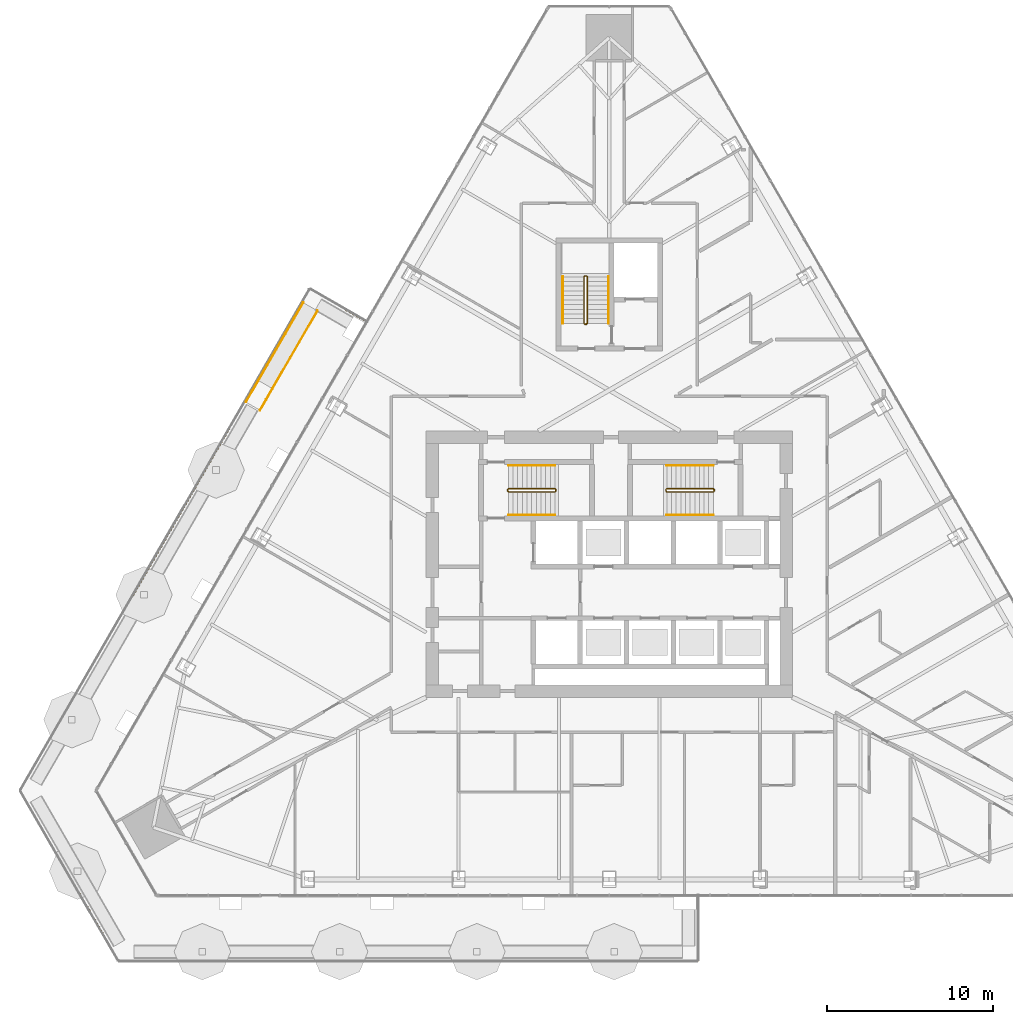
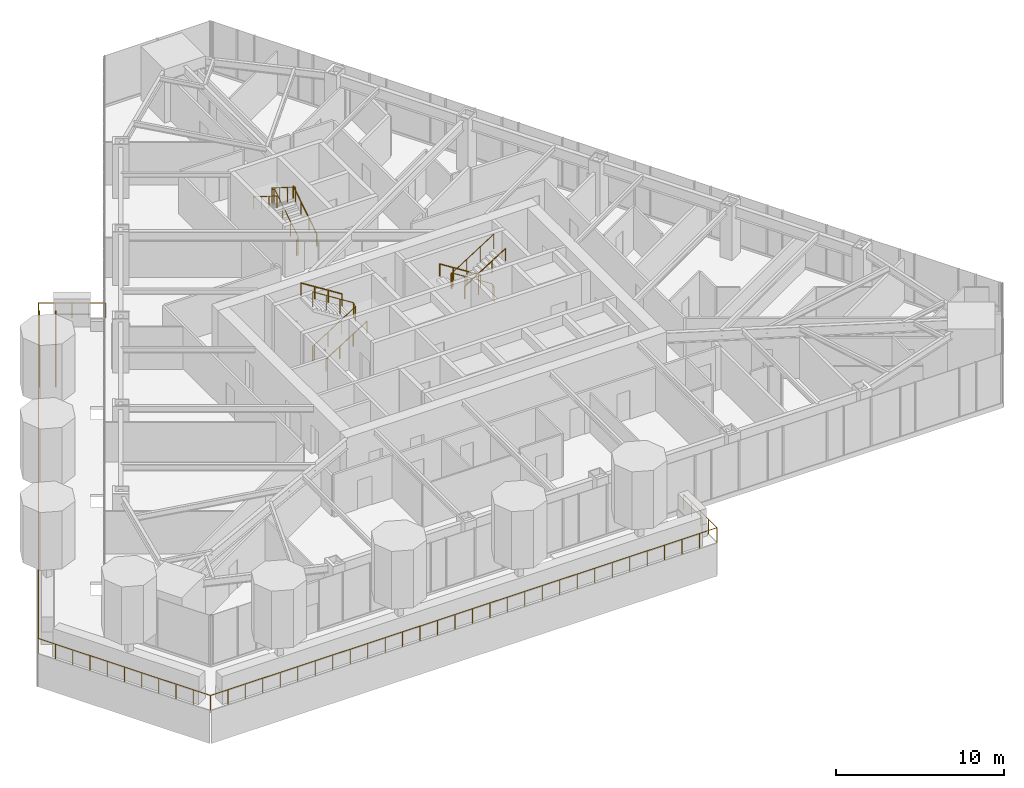
# One storey, part 30 of 32: 12 railings.
"""IFC4 building model written with IfcOpenShell, lengths in metres."""

from ifc_helpers import new_model, si_unit, direction, frame, origin, origin_2d, place, context, subcontext, project, spatial, circle, extrude, material, type_object, element, save


model = new_model("IFC4")

# Units and contexts
model_context = context("Model", 3, precision=1e-05, world=origin(), true_north=direction((0.0, 1.0)))
body_context = subcontext(model_context, "Body", "Model", "MODEL_VIEW")
ifc_project = project(units=[si_unit("LENGTHUNIT", "METRE"), si_unit("AREAUNIT", "SQUARE_METRE"), si_unit("VOLUMEUNIT", "CUBIC_METRE"), si_unit("PLANEANGLEUNIT", "RADIAN"), si_unit("MASSUNIT", "GRAM", prefix="KILO")], contexts=[model_context])

# Site, building, storey
site_placement = place(None, origin())
site = spatial("IfcSite", under=ifc_project, at=site_placement, CompositionType="ELEMENT")
building_placement = place(site_placement, origin())
building = spatial("IfcBuilding", under=site, at=building_placement, Name="Firuza Gate Tower and Library", CompositionType="ELEMENT")
storey_placement = place(building_placement, frame((0.0, 0.0, 163.60009765625)))
storey = spatial("IfcBuildingStorey", under=building, at=storey_placement, Name="L37", CompositionType="ELEMENT", Elevation=163.60009765625)

# Railings
ifc_material_1 = material(Name="Steel S355", Category="steel")
railing_type_1 = type_object("IfcRailingType", Name="Garden ramp guard 1100", PredefinedType="GUARDRAIL", material=ifc_material_1)
railing_1_placement = place(storey_placement, frame((57.463623046875, 90.2236328125, 0.0498046875)))
element("IfcRailing", 1, at=railing_1_placement, inside=storey, type_object=railing_type_1, Name="Ramp guard", PredefinedType="GUARDRAIL", context=body_context, shape_type="SweptSolid", body=[
    extrude(circle(Radius=0.02392578125, at=origin_2d()), frame((0.0, 0.0, 1.076171875), z_axis=(-0.498661851359, -0.863640846545, 0.073897538371), x_axis=(0.866008653551, -0.500029011134, 0.0)), (0.0, 0.0, 1.0), 5.414794921875),
    extrude(circle(Radius=0.02392578125, at=origin_2d()), frame((-2.7001953125, -4.676513671875, 1.47607421875), z_axis=(-0.499990139034, -0.866031096941, 0.0), x_axis=(0.866031096941, -0.499990139034, 0.0)), (0.0, 0.0, 1.0), 1.5),
    extrude(circle(Radius=0.02099609375, at=origin_2d()), origin(), (0.0, 0.0, 1.0), 1.052001953125),
    extrude(circle(Radius=0.02099609375, at=origin_2d()), frame((-0.5400390625, -0.935302734375, 0.080078125)), (0.0, 0.0, 1.0), 1.052001953125),
    extrude(circle(Radius=0.02099609375, at=origin_2d()), frame((-1.080078125, -1.87060546875, 0.16015625)), (0.0, 0.0, 1.0), 1.052001953125),
    extrude(circle(Radius=0.02099609375, at=origin_2d()), frame((-1.6201171875, -2.805908203125, 0.239990234375)), (0.0, 0.0, 1.0), 1.052001953125),
    extrude(circle(Radius=0.02099609375, at=origin_2d()), frame((-2.16015625, -3.7412109375, 0.320068359375)), (0.0, 0.0, 1.0), 1.052001953125),
    extrude(circle(Radius=0.02099609375, at=origin_2d()), frame((-2.7001953125, -4.676513671875, 0.400146484375)), (0.0, 0.0, 1.0), 1.052001953125),
    extrude(circle(Radius=0.02099609375, at=origin_2d()), frame((-3.0751953125, -5.326171875, 0.400146484375)), (0.0, 0.0, 1.0), 1.052001953125),
    extrude(circle(Radius=0.02099609375, at=origin_2d()), frame((-3.4501953125, -5.9755859375, 0.400146484375)), (0.0, 0.0, 1.0), 1.052001953125),
])
railing_2_placement = place(storey_placement, frame((56.61474609375, 90.713623046875, 0.0498046875)))
element("IfcRailing", 2, at=railing_2_placement, inside=storey, type_object=railing_type_1, Name="Ramp guard", PredefinedType="GUARDRAIL", context=body_context, shape_type="SweptSolid", body=[
    extrude(circle(Radius=0.02392578125, at=origin_2d()), frame((0.0, 0.0, 1.076171875), z_axis=(-0.49862797474, -0.863660263689, 0.073899199801), x_axis=(0.866028230842, -0.499995103361, 0.0)), (0.0, 0.0, 1.0), 5.414794921875),
    extrude(circle(Radius=0.02392578125, at=origin_2d()), frame((-2.699951171875, -4.676513671875, 1.47607421875), z_axis=(-0.499990139034, -0.866031096941, 0.0), x_axis=(0.866031096941, -0.499990139034, 0.0)), (0.0, 0.0, 1.0), 1.5),
    extrude(circle(Radius=0.02099609375, at=origin_2d()), origin(), (0.0, 0.0, 1.0), 1.052001953125),
    extrude(circle(Radius=0.02099609375, at=origin_2d()), frame((-0.5400390625, -0.935302734375, 0.080078125)), (0.0, 0.0, 1.0), 1.052001953125),
    extrude(circle(Radius=0.02099609375, at=origin_2d()), frame((-1.080078125, -1.87060546875, 0.16015625)), (0.0, 0.0, 1.0), 1.052001953125),
    extrude(circle(Radius=0.02099609375, at=origin_2d()), frame((-1.619873046875, -2.805908203125, 0.239990234375)), (0.0, 0.0, 1.0), 1.052001953125),
    extrude(circle(Radius=0.02099609375, at=origin_2d()), frame((-2.159912109375, -3.7412109375, 0.320068359375)), (0.0, 0.0, 1.0), 1.052001953125),
    extrude(circle(Radius=0.02099609375, at=origin_2d()), frame((-2.699951171875, -4.676513671875, 0.400146484375)), (0.0, 0.0, 1.0), 1.052001953125),
    extrude(circle(Radius=0.02099609375, at=origin_2d()), frame((-3.074951171875, -5.326171875, 0.400146484375)), (0.0, 0.0, 1.0), 1.052001953125),
    extrude(circle(Radius=0.02099609375, at=origin_2d()), frame((-3.449951171875, -5.9755859375, 0.400146484375)), (0.0, 0.0, 1.0), 1.052001953125),
])
ifc_material_2 = material(Name="Steel S355", Category="steel")
railing_type_2 = type_object("IfcRailingType", Name="Stair guard 1100", PredefinedType="GUARDRAIL", material=ifc_material_2)
railing_3_placement = place(storey_placement, frame((68.889892578125, 79.389892578125, 0.0)))
element("IfcRailing", 3, at=railing_3_placement, inside=storey, type_object=railing_type_2, Name="L37 ST1 stair guard 1", PredefinedType="GUARDRAIL", context=body_context, shape_type="SweptSolid", body=[
    extrude(circle(Radius=0.02392578125, at=origin_2d()), frame((0.0, 0.0, 1.076171875), z_axis=(0.0, 1.0, 0.0), x_axis=(-1.0, 0.0, 0.0)), (0.0, 0.0, 1.0), 0.10009765625),
    extrude(circle(Radius=0.02392578125, at=origin_2d()), frame((0.0, 0.10009765625, 1.076171875), z_axis=(0.210758951027, -0.631248760638, 0.74639511437), x_axis=(0.948528701346, 0.316691178788, 0.0)), (0.0, 0.0, 1.0), 0.237548828125),
    extrude(circle(Radius=0.02392578125, at=origin_2d()), frame((0.050048828125, -0.0498046875, 1.25341796875), z_axis=(0.844908973607, 0.0, 0.534910110503), x_axis=(0.0, 1.0, 0.0)), (0.0, 0.0, 1.0), 3.31396484375),
    extrude(circle(Radius=0.02392578125, at=origin_2d()), frame((2.85009765625, -0.0498046875, 3.02587890625), z_axis=(0.708833529934, 0.705375805398, 0.0), x_axis=(-0.705375805398, 0.708833529934, 0.0)), (0.0, 0.0, 1.0), 0.070556640625),
    extrude(circle(Radius=0.02392578125, at=origin_2d()), frame((2.900146484375, 0.0, 3.02587890625), z_axis=(0.0, 1.0, 0.0), x_axis=(-1.0, 0.0, 0.0)), (0.0, 0.0, 1.0), 0.10009765625),
    extrude(circle(Radius=0.02392578125, at=origin_2d()), frame((2.900146484375, 0.10009765625, 3.02587890625), z_axis=(-0.262233686654, 0.262233686654, 0.928691007369), x_axis=(-0.707106781187, -0.707106781187, 0.0)), (0.0, 0.0, 1.0), 0.19091796875),
    extrude(circle(Radius=0.02392578125, at=origin_2d()), frame((2.85009765625, 0.150146484375, 3.203125), z_axis=(-0.844908973607, 0.0, 0.534910110503), x_axis=(0.0, -1.0, 0.0)), (0.0, 0.0, 1.0), 3.31396484375),
    extrude(circle(Radius=0.02099609375, at=origin_2d()), origin(), (0.0, 0.0, 1.0), 1.052001953125),
    extrude(circle(Radius=0.02099609375, at=origin_2d()), frame((0.0, 0.10009765625, 0.0)), (0.0, 0.0, 1.0), 1.052001953125),
    extrude(circle(Radius=0.02099609375, at=origin_2d()), frame((0.050048828125, -0.0498046875, 0.17724609375)), (0.0, 0.0, 1.0), 1.052001953125),
    extrude(circle(Radius=0.02099609375, at=origin_2d()), frame((0.9833984375, -0.0498046875, 0.76806640625)), (0.0, 0.0, 1.0), 1.052001953125),
    extrude(circle(Radius=0.02099609375, at=origin_2d()), frame((1.916748046875, -0.0498046875, 1.359130859375)), (0.0, 0.0, 1.0), 1.052001953125),
    extrude(circle(Radius=0.02099609375, at=origin_2d()), frame((2.85009765625, -0.0498046875, 1.949951171875)), (0.0, 0.0, 1.0), 1.052001953125),
    extrude(circle(Radius=0.02099609375, at=origin_2d()), frame((2.900146484375, 0.0, 1.949951171875)), (0.0, 0.0, 1.0), 1.052001953125),
    extrude(circle(Radius=0.02099609375, at=origin_2d()), frame((2.900146484375, 0.10009765625, 1.949951171875)), (0.0, 0.0, 1.0), 1.052001953125),
    extrude(circle(Radius=0.02099609375, at=origin_2d()), frame((2.85009765625, 0.150146484375, 2.127197265625)), (0.0, 0.0, 1.0), 1.052001953125),
    extrude(circle(Radius=0.02099609375, at=origin_2d()), frame((1.916748046875, 0.150146484375, 2.718017578125)), (0.0, 0.0, 1.0), 1.052001953125),
    extrude(circle(Radius=0.02099609375, at=origin_2d()), frame((0.9833984375, 0.150146484375, 3.30908203125)), (0.0, 0.0, 1.0), 1.052001953125),
    extrude(circle(Radius=0.02099609375, at=origin_2d()), frame((0.050048828125, 0.150146484375, 3.89990234375)), (0.0, 0.0, 1.0), 1.052001953125),
])
railing_4_placement = place(storey_placement, frame((81.31005859375, 79.489990234375, 0.0)))
element("IfcRailing", 4, at=railing_4_placement, inside=storey, type_object=railing_type_2, Name="L37 ST2 stair guard 1", PredefinedType="GUARDRAIL", context=body_context, shape_type="SweptSolid", body=[
    extrude(circle(Radius=0.02392578125, at=origin_2d()), frame((0.0, 0.0, 1.076171875), z_axis=(0.0, -1.0, 0.0), x_axis=(1.0, 0.0, 0.0)), (0.0, 0.0, 1.0), 0.10009765625),
    extrude(circle(Radius=0.02392578125, at=origin_2d()), frame((0.0, -0.10009765625, 1.076171875), z_axis=(-0.210622194084, 0.631866582253, 0.74591079466), x_axis=(-0.948683298051, -0.316227766017, 0.0)), (0.0, 0.0, 1.0), 0.237548828125),
    extrude(circle(Radius=0.02392578125, at=origin_2d()), frame((-0.050048828125, 0.050048828125, 1.25341796875), z_axis=(-0.844908973607, 0.0, 0.534910110503), x_axis=(0.0, -1.0, 0.0)), (0.0, 0.0, 1.0), 3.31396484375),
    extrude(circle(Radius=0.02392578125, at=origin_2d()), frame((-2.85009765625, 0.050048828125, 3.02587890625), z_axis=(-0.707106781187, -0.707106781187, 0.0), x_axis=(0.707106781187, -0.707106781187, 0.0)), (0.0, 0.0, 1.0), 0.07080078125),
    extrude(circle(Radius=0.02392578125, at=origin_2d()), frame((-2.900146484375, 0.0, 3.02587890625), z_axis=(0.0, -1.0, 0.0), x_axis=(1.0, 0.0, 0.0)), (0.0, 0.0, 1.0), 0.10009765625),
    extrude(circle(Radius=0.02392578125, at=origin_2d()), frame((-2.900146484375, -0.10009765625, 3.02587890625), z_axis=(0.262321481514, -0.261041864531, 0.929001929653), x_axis=(0.705375805398, 0.708833529934, 0.0)), (0.0, 0.0, 1.0), 0.190673828125),
    extrude(circle(Radius=0.02392578125, at=origin_2d()), frame((-2.85009765625, -0.14990234375, 3.203125), z_axis=(0.844908973607, 0.0, 0.534910110503), x_axis=(0.0, 1.0, 0.0)), (0.0, 0.0, 1.0), 3.31396484375),
    extrude(circle(Radius=0.02099609375, at=origin_2d()), origin(), (0.0, 0.0, 1.0), 1.052001953125),
    extrude(circle(Radius=0.02099609375, at=origin_2d()), frame((0.0, -0.10009765625, 0.0)), (0.0, 0.0, 1.0), 1.052001953125),
    extrude(circle(Radius=0.02099609375, at=origin_2d()), frame((-0.050048828125, 0.050048828125, 0.17724609375)), (0.0, 0.0, 1.0), 1.052001953125),
    extrude(circle(Radius=0.02099609375, at=origin_2d()), frame((-0.9833984375, 0.050048828125, 0.76806640625)), (0.0, 0.0, 1.0), 1.052001953125),
    extrude(circle(Radius=0.02099609375, at=origin_2d()), frame((-1.916748046875, 0.050048828125, 1.359130859375)), (0.0, 0.0, 1.0), 1.052001953125),
    extrude(circle(Radius=0.02099609375, at=origin_2d()), frame((-2.85009765625, 0.050048828125, 1.949951171875)), (0.0, 0.0, 1.0), 1.052001953125),
    extrude(circle(Radius=0.02099609375, at=origin_2d()), frame((-2.900146484375, 0.0, 1.949951171875)), (0.0, 0.0, 1.0), 1.052001953125),
    extrude(circle(Radius=0.02099609375, at=origin_2d()), frame((-2.900146484375, -0.10009765625, 1.949951171875)), (0.0, 0.0, 1.0), 1.052001953125),
    extrude(circle(Radius=0.02099609375, at=origin_2d()), frame((-2.85009765625, -0.14990234375, 2.127197265625)), (0.0, 0.0, 1.0), 1.052001953125),
    extrude(circle(Radius=0.02099609375, at=origin_2d()), frame((-1.916748046875, -0.14990234375, 2.718017578125)), (0.0, 0.0, 1.0), 1.052001953125),
    extrude(circle(Radius=0.02099609375, at=origin_2d()), frame((-0.9833984375, -0.14990234375, 3.30908203125)), (0.0, 0.0, 1.0), 1.052001953125),
    extrude(circle(Radius=0.02099609375, at=origin_2d()), frame((-0.050048828125, -0.14990234375, 3.89990234375)), (0.0, 0.0, 1.0), 1.052001953125),
])
railing_5_placement = place(storey_placement, frame((73.6298828125, 89.419921875, 0.0)))
element("IfcRailing", 5, at=railing_5_placement, inside=storey, type_object=railing_type_2, Name="L37 ST3 stair guard 1", PredefinedType="GUARDRAIL", context=body_context, shape_type="SweptSolid", body=[
    extrude(circle(Radius=0.02392578125, at=origin_2d()), frame((0.0, 0.0, 1.076171875), z_axis=(-1.0, 0.0, 0.0), x_axis=(0.0, -1.0, 0.0)), (0.0, 0.0, 1.0), 0.099853515625),
    extrude(circle(Radius=0.02392578125, at=origin_2d()), frame((-0.099853515625, 0.0, 1.076171875), z_axis=(0.631248760638, 0.210758951027, 0.74639511437), x_axis=(-0.316691178788, 0.948528701346, 0.0)), (0.0, 0.0, 1.0), 0.237548828125),
    extrude(circle(Radius=0.02392578125, at=origin_2d()), frame((0.050048828125, 0.050048828125, 1.25341796875), z_axis=(0.0, 0.844908973607, 0.534910110503), x_axis=(-1.0, 0.0, 0.0)), (0.0, 0.0, 1.0), 3.31396484375),
    extrude(circle(Radius=0.02392578125, at=origin_2d()), frame((0.050048828125, 2.85009765625, 3.02587890625), z_axis=(-0.707106781187, 0.707106781187, 0.0), x_axis=(-0.707106781187, -0.707106781187, 0.0)), (0.0, 0.0, 1.0), 0.07080078125),
    extrude(circle(Radius=0.02392578125, at=origin_2d()), frame((0.0, 2.900146484375, 3.02587890625), z_axis=(-1.0, 0.0, 0.0), x_axis=(0.0, -1.0, 0.0)), (0.0, 0.0, 1.0), 0.099853515625),
    extrude(circle(Radius=0.02392578125, at=origin_2d()), frame((-0.099853515625, 2.900146484375, 3.02587890625), z_axis=(-0.262233686654, -0.262233686654, 0.928691007369), x_axis=(0.707106781187, -0.707106781187, 0.0)), (0.0, 0.0, 1.0), 0.19091796875),
    extrude(circle(Radius=0.02392578125, at=origin_2d()), frame((-0.14990234375, 2.85009765625, 3.203125), z_axis=(0.0, -0.844908973607, 0.534910110503), x_axis=(1.0, 0.0, 0.0)), (0.0, 0.0, 1.0), 3.31396484375),
    extrude(circle(Radius=0.02099609375, at=origin_2d()), origin(), (0.0, 0.0, 1.0), 1.052001953125),
    extrude(circle(Radius=0.02099609375, at=origin_2d()), frame((-0.099853515625, 0.0, 0.0)), (0.0, 0.0, 1.0), 1.052001953125),
    extrude(circle(Radius=0.02099609375, at=origin_2d()), frame((0.050048828125, 0.050048828125, 0.17724609375)), (0.0, 0.0, 1.0), 1.052001953125),
    extrude(circle(Radius=0.02099609375, at=origin_2d()), frame((0.050048828125, 0.9833984375, 0.76806640625)), (0.0, 0.0, 1.0), 1.052001953125),
    extrude(circle(Radius=0.02099609375, at=origin_2d()), frame((0.050048828125, 1.916748046875, 1.359130859375)), (0.0, 0.0, 1.0), 1.052001953125),
    extrude(circle(Radius=0.02099609375, at=origin_2d()), frame((0.050048828125, 2.85009765625, 1.949951171875)), (0.0, 0.0, 1.0), 1.052001953125),
    extrude(circle(Radius=0.02099609375, at=origin_2d()), frame((0.0, 2.900146484375, 1.949951171875)), (0.0, 0.0, 1.0), 1.052001953125),
    extrude(circle(Radius=0.02099609375, at=origin_2d()), frame((-0.099853515625, 2.900146484375, 1.949951171875)), (0.0, 0.0, 1.0), 1.052001953125),
    extrude(circle(Radius=0.02099609375, at=origin_2d()), frame((-0.14990234375, 2.85009765625, 2.127197265625)), (0.0, 0.0, 1.0), 1.052001953125),
    extrude(circle(Radius=0.02099609375, at=origin_2d()), frame((-0.14990234375, 1.916748046875, 2.718017578125)), (0.0, 0.0, 1.0), 1.052001953125),
    extrude(circle(Radius=0.02099609375, at=origin_2d()), frame((-0.14990234375, 0.9833984375, 3.30908203125)), (0.0, 0.0, 1.0), 1.052001953125),
    extrude(circle(Radius=0.02099609375, at=origin_2d()), frame((-0.14990234375, 0.050048828125, 3.89990234375)), (0.0, 0.0, 1.0), 1.052001953125),
])
ifc_material_3 = material(Name="Steel S355", Category="steel")
railing_type_3 = type_object("IfcRailingType", Name="Stair handrail 900", PredefinedType="HANDRAIL", material=ifc_material_3)
railing_6_placement = place(storey_placement, frame((68.93994140625, 77.949951171875, 0.17724609375)))
element("IfcRailing", 6, at=railing_6_placement, inside=storey, type_object=railing_type_3, Name="L37 ST1 stair handrail 1", PredefinedType="HANDRAIL", context=body_context, shape_type="SweptSolid", body=[
    extrude(circle(Radius=0.02392578125, at=origin_2d()), frame((0.0, 0.0, 0.8759765625), z_axis=(0.844908973607, 0.0, 0.534910110503), x_axis=(0.0, 1.0, 0.0)), (0.0, 0.0, 1.0), 3.31396484375),
    extrude(circle(Radius=0.02099609375, at=origin_2d()), origin(), (0.0, 0.0, 1.0), 0.851806640625),
    extrude(circle(Radius=0.02099609375, at=origin_2d()), frame((0.933349609375, 0.0, 0.5908203125)), (0.0, 0.0, 1.0), 0.851806640625),
    extrude(circle(Radius=0.02099609375, at=origin_2d()), frame((1.86669921875, 0.0, 1.181884765625)), (0.0, 0.0, 1.0), 0.851806640625),
    extrude(circle(Radius=0.02099609375, at=origin_2d()), frame((2.800048828125, 0.0, 1.772705078125)), (0.0, 0.0, 1.0), 0.851806640625),
])
for number, where, name in (
    (7, (71.739990234375, 80.929931640625, 2.127197265625), "L37 ST1 stair handrail 2"),
    (8, (81.260009765625, 80.929931640625, 0.17724609375), "L37 ST2 stair handrail 1"),
):
    element("IfcRailing", number, at=place(storey_placement, frame(where)), inside=storey, type_object=railing_type_3, Name=name, PredefinedType="HANDRAIL", context=body_context, shape_type="SweptSolid", body=[
        extrude(circle(Radius=0.02392578125, at=origin_2d()), frame((0.0, 0.0, 0.8759765625), z_axis=(-0.844908973607, 0.0, 0.534910110503), x_axis=(0.0, -1.0, 0.0)), (0.0, 0.0, 1.0), 3.31396484375),
        extrude(circle(Radius=0.02099609375, at=origin_2d()), origin(), (0.0, 0.0, 1.0), 0.851806640625),
        extrude(circle(Radius=0.02099609375, at=origin_2d()), frame((-0.933349609375, 0.0, 0.5908203125)), (0.0, 0.0, 1.0), 0.851806640625),
        extrude(circle(Radius=0.02099609375, at=origin_2d()), frame((-1.86669921875, 0.0, 1.181884765625)), (0.0, 0.0, 1.0), 0.851806640625),
        extrude(circle(Radius=0.02099609375, at=origin_2d()), frame((-2.800048828125, 0.0, 1.772705078125)), (0.0, 0.0, 1.0), 0.851806640625),
    ])
railing_7_placement = place(storey_placement, frame((78.4599609375, 77.949951171875, 2.127197265625)))
element("IfcRailing", 9, at=railing_7_placement, inside=storey, type_object=railing_type_3, Name="L37 ST2 stair handrail 2", PredefinedType="HANDRAIL", context=body_context, shape_type="SweptSolid", body=[
    extrude(circle(Radius=0.02392578125, at=origin_2d()), frame((0.0, 0.0, 0.8759765625), z_axis=(0.844908973607, 0.0, 0.534910110503), x_axis=(0.0, 1.0, 0.0)), (0.0, 0.0, 1.0), 3.31396484375),
    extrude(circle(Radius=0.02099609375, at=origin_2d()), origin(), (0.0, 0.0, 1.0), 0.851806640625),
    extrude(circle(Radius=0.02099609375, at=origin_2d()), frame((0.933349609375, 0.0, 0.5908203125)), (0.0, 0.0, 1.0), 0.851806640625),
    extrude(circle(Radius=0.02099609375, at=origin_2d()), frame((1.86669921875, 0.0, 1.181884765625)), (0.0, 0.0, 1.0), 0.851806640625),
    extrude(circle(Radius=0.02099609375, at=origin_2d()), frame((2.800048828125, 0.0, 1.772705078125)), (0.0, 0.0, 1.0), 0.851806640625),
])
railing_8_placement = place(storey_placement, frame((74.949951171875, 89.469970703125, 0.17724609375)))
element("IfcRailing", 10, at=railing_8_placement, inside=storey, type_object=railing_type_3, Name="L37 ST3 stair handrail 1", PredefinedType="HANDRAIL", context=body_context, shape_type="SweptSolid", body=[
    extrude(circle(Radius=0.02392578125, at=origin_2d()), frame((0.0, 0.0, 0.8759765625), z_axis=(0.0, 0.844908973607, 0.534910110503), x_axis=(-1.0, 0.0, 0.0)), (0.0, 0.0, 1.0), 3.31396484375),
    extrude(circle(Radius=0.02099609375, at=origin_2d()), origin(), (0.0, 0.0, 1.0), 0.851806640625),
    extrude(circle(Radius=0.02099609375, at=origin_2d()), frame((0.0, 0.933349609375, 0.5908203125)), (0.0, 0.0, 1.0), 0.851806640625),
    extrude(circle(Radius=0.02099609375, at=origin_2d()), frame((0.0, 1.86669921875, 1.181884765625)), (0.0, 0.0, 1.0), 0.851806640625),
    extrude(circle(Radius=0.02099609375, at=origin_2d()), frame((0.0, 2.800048828125, 1.772705078125)), (0.0, 0.0, 1.0), 0.851806640625),
])
railing_9_placement = place(storey_placement, frame((72.2099609375, 92.27001953125, 2.127197265625)))
element("IfcRailing", 11, at=railing_9_placement, inside=storey, type_object=railing_type_3, Name="L37 ST3 stair handrail 2", PredefinedType="HANDRAIL", context=body_context, shape_type="SweptSolid", body=[
    extrude(circle(Radius=0.02392578125, at=origin_2d()), frame((0.0, 0.0, 0.8759765625), z_axis=(0.0, -0.844908973607, 0.534910110503), x_axis=(1.0, 0.0, 0.0)), (0.0, 0.0, 1.0), 3.31396484375),
    extrude(circle(Radius=0.02099609375, at=origin_2d()), origin(), (0.0, 0.0, 1.0), 0.851806640625),
    extrude(circle(Radius=0.02099609375, at=origin_2d()), frame((0.0, -0.933349609375, 0.5908203125)), (0.0, 0.0, 1.0), 0.851806640625),
    extrude(circle(Radius=0.02099609375, at=origin_2d()), frame((0.0, -1.86669921875, 1.181884765625)), (0.0, 0.0, 1.0), 0.851806640625),
    extrude(circle(Radius=0.02099609375, at=origin_2d()), frame((0.0, -2.800048828125, 1.772705078125)), (0.0, 0.0, 1.0), 0.851806640625),
])
ifc_material_4 = material(Name="Steel S355", Category="steel")
railing_type_4 = type_object("IfcRailingType", Name="Terrace guard 1100", PredefinedType="GUARDRAIL", material=ifc_material_4)
railing_10_placement = place(storey_placement, frame((60.47705078125, 89.52294921875, 0.0)))
element("IfcRailing", 12, at=railing_10_placement, inside=storey, type_object=railing_type_4, Name="Tray guard L37", PredefinedType="GUARDRAIL", context=body_context, shape_type="SweptSolid", body=[
    extrude(circle(Radius=0.02392578125, at=origin_2d()), frame((0.0, 0.0, 1.076171875), z_axis=(-0.866026010844, 0.49999894854, 0.0), x_axis=(-0.49999894854, -0.866026010844, 0.0)), (0.0, 0.0, 1.0), 4.0),
    extrude(circle(Radius=0.02392578125, at=origin_2d()), frame((-3.464111328125, 2.0, 1.076171875), z_axis=(-0.500000692072, -0.866025004216, 0.0), x_axis=(0.866025004216, -0.500000692072, 0.0)), (0.0, 0.0, 1.0), 34.787109375),
    extrude(circle(Radius=0.02392578125, at=origin_2d()), frame((-20.857666015625, -28.12646484375, 1.076171875), z_axis=(0.499987099225, -0.866032851922, 0.0), x_axis=(0.866032851922, 0.499987099225, 0.0)), (0.0, 0.0, 1.0), 11.818603515625),
    extrude(circle(Radius=0.02392578125, at=origin_2d()), frame((-14.948486328125, -38.36181640625, 1.076171875), z_axis=(1.0, 0.0, 0.0), x_axis=(0.0, 1.0, 0.0)), (0.0, 0.0, 1.0), 34.787353515625),
    extrude(circle(Radius=0.02392578125, at=origin_2d()), frame((19.8388671875, -38.36181640625, 1.076171875), z_axis=(0.0, 1.0, 0.0), x_axis=(-1.0, 0.0, 0.0)), (0.0, 0.0, 1.0), 4.0),
    extrude(circle(Radius=0.02099609375, at=origin_2d()), origin(), (0.0, 0.0, 1.0), 1.052001953125),
    extrude(circle(Radius=0.02099609375, at=origin_2d()), frame((-0.865966796875, 0.5, 0.0)), (0.0, 0.0, 1.0), 1.052001953125),
    extrude(circle(Radius=0.02099609375, at=origin_2d()), frame((-1.73193359375, 1.0, 0.0)), (0.0, 0.0, 1.0), 1.052001953125),
    extrude(circle(Radius=0.02099609375, at=origin_2d()), frame((-2.59814453125, 1.5, 0.0)), (0.0, 0.0, 1.0), 1.052001953125),
    extrude(circle(Radius=0.02099609375, at=origin_2d()), frame((-3.464111328125, 2.0, 0.0)), (0.0, 0.0, 1.0), 1.052001953125),
    extrude(circle(Radius=0.02099609375, at=origin_2d()), frame((-4.06396484375, 0.961181640625, 0.0)), (0.0, 0.0, 1.0), 1.052001953125),
    extrude(circle(Radius=0.02099609375, at=origin_2d()), frame((-4.66357421875, -0.07763671875, 0.0)), (0.0, 0.0, 1.0), 1.052001953125),
    extrude(circle(Radius=0.02099609375, at=origin_2d()), frame((-5.263427734375, -1.116455078125, 0.0)), (0.0, 0.0, 1.0), 1.052001953125),
    extrude(circle(Radius=0.02099609375, at=origin_2d()), frame((-5.86328125, -2.1552734375, 0.0)), (0.0, 0.0, 1.0), 1.052001953125),
    extrude(circle(Radius=0.02099609375, at=origin_2d()), frame((-6.462890625, -3.1943359375, 0.0)), (0.0, 0.0, 1.0), 1.052001953125),
    extrude(circle(Radius=0.02099609375, at=origin_2d()), frame((-7.062744140625, -4.233154296875, 0.0)), (0.0, 0.0, 1.0), 1.052001953125),
    extrude(circle(Radius=0.02099609375, at=origin_2d()), frame((-7.66259765625, -5.27197265625, 0.0)), (0.0, 0.0, 1.0), 1.052001953125),
    extrude(circle(Radius=0.02099609375, at=origin_2d()), frame((-8.262451171875, -6.310791015625, 0.0)), (0.0, 0.0, 1.0), 1.052001953125),
    extrude(circle(Radius=0.02099609375, at=origin_2d()), frame((-8.862060546875, -7.349609375, 0.0)), (0.0, 0.0, 1.0), 1.052001953125),
    extrude(circle(Radius=0.02099609375, at=origin_2d()), frame((-9.4619140625, -8.388427734375, 0.0)), (0.0, 0.0, 1.0), 1.052001953125),
    extrude(circle(Radius=0.02099609375, at=origin_2d()), frame((-10.061767578125, -9.42724609375, 0.0)), (0.0, 0.0, 1.0), 1.052001953125),
    extrude(circle(Radius=0.02099609375, at=origin_2d()), frame((-10.661376953125, -10.466064453125, 0.0)), (0.0, 0.0, 1.0), 1.052001953125),
    extrude(circle(Radius=0.02099609375, at=origin_2d()), frame((-11.26123046875, -11.5048828125, 0.0)), (0.0, 0.0, 1.0), 1.052001953125),
    extrude(circle(Radius=0.02099609375, at=origin_2d()), frame((-11.861083984375, -12.543701171875, 0.0)), (0.0, 0.0, 1.0), 1.052001953125),
    extrude(circle(Radius=0.02099609375, at=origin_2d()), frame((-12.460693359375, -13.582763671875, 0.0)), (0.0, 0.0, 1.0), 1.052001953125),
    extrude(circle(Radius=0.02099609375, at=origin_2d()), frame((-13.060546875, -14.62158203125, 0.0)), (0.0, 0.0, 1.0), 1.052001953125),
    extrude(circle(Radius=0.02099609375, at=origin_2d()), frame((-13.660400390625, -15.660400390625, 0.0)), (0.0, 0.0, 1.0), 1.052001953125),
    extrude(circle(Radius=0.02099609375, at=origin_2d()), frame((-14.260009765625, -16.69921875, 0.0)), (0.0, 0.0, 1.0), 1.052001953125),
    extrude(circle(Radius=0.02099609375, at=origin_2d()), frame((-14.85986328125, -17.738037109375, 0.0)), (0.0, 0.0, 1.0), 1.052001953125),
    extrude(circle(Radius=0.02099609375, at=origin_2d()), frame((-15.459716796875, -18.77685546875, 0.0)), (0.0, 0.0, 1.0), 1.052001953125),
    extrude(circle(Radius=0.02099609375, at=origin_2d()), frame((-16.059326171875, -19.815673828125, 0.0)), (0.0, 0.0, 1.0), 1.052001953125),
    extrude(circle(Radius=0.02099609375, at=origin_2d()), frame((-16.6591796875, -20.8544921875, 0.0)), (0.0, 0.0, 1.0), 1.052001953125),
    extrude(circle(Radius=0.02099609375, at=origin_2d()), frame((-17.259033203125, -21.893310546875, 0.0)), (0.0, 0.0, 1.0), 1.052001953125),
    extrude(circle(Radius=0.02099609375, at=origin_2d()), frame((-17.85888671875, -22.93212890625, 0.0)), (0.0, 0.0, 1.0), 1.052001953125),
    extrude(circle(Radius=0.02099609375, at=origin_2d()), frame((-18.45849609375, -23.97119140625, 0.0)), (0.0, 0.0, 1.0), 1.052001953125),
    extrude(circle(Radius=0.02099609375, at=origin_2d()), frame((-19.058349609375, -25.010009765625, 0.0)), (0.0, 0.0, 1.0), 1.052001953125),
    extrude(circle(Radius=0.02099609375, at=origin_2d()), frame((-19.658203125, -26.048828125, 0.0)), (0.0, 0.0, 1.0), 1.052001953125),
    extrude(circle(Radius=0.02099609375, at=origin_2d()), frame((-20.2578125, -27.087646484375, 0.0)), (0.0, 0.0, 1.0), 1.052001953125),
    extrude(circle(Radius=0.02099609375, at=origin_2d()), frame((-20.857666015625, -28.12646484375, 0.0)), (0.0, 0.0, 1.0), 1.052001953125),
    extrude(circle(Radius=0.02099609375, at=origin_2d()), frame((-20.266845703125, -29.14990234375, 0.0)), (0.0, 0.0, 1.0), 1.052001953125),
    extrude(circle(Radius=0.02099609375, at=origin_2d()), frame((-19.67578125, -30.173583984375, 0.0)), (0.0, 0.0, 1.0), 1.052001953125),
    extrude(circle(Radius=0.02099609375, at=origin_2d()), frame((-19.0849609375, -31.197021484375, 0.0)), (0.0, 0.0, 1.0), 1.052001953125),
    extrude(circle(Radius=0.02099609375, at=origin_2d()), frame((-18.493896484375, -32.220703125, 0.0)), (0.0, 0.0, 1.0), 1.052001953125),
    extrude(circle(Radius=0.02099609375, at=origin_2d()), frame((-17.903076171875, -33.244140625, 0.0)), (0.0, 0.0, 1.0), 1.052001953125),
    extrude(circle(Radius=0.02099609375, at=origin_2d()), frame((-17.312255859375, -34.267578125, 0.0)), (0.0, 0.0, 1.0), 1.052001953125),
    extrude(circle(Radius=0.02099609375, at=origin_2d()), frame((-16.72119140625, -35.291259765625, 0.0)), (0.0, 0.0, 1.0), 1.052001953125),
    extrude(circle(Radius=0.02099609375, at=origin_2d()), frame((-16.13037109375, -36.314697265625, 0.0)), (0.0, 0.0, 1.0), 1.052001953125),
    extrude(circle(Radius=0.02099609375, at=origin_2d()), frame((-15.539306640625, -37.33837890625, 0.0)), (0.0, 0.0, 1.0), 1.052001953125),
    extrude(circle(Radius=0.02099609375, at=origin_2d()), frame((-14.948486328125, -38.36181640625, 0.0)), (0.0, 0.0, 1.0), 1.052001953125),
    extrude(circle(Radius=0.02099609375, at=origin_2d()), frame((-13.7490234375, -38.36181640625, 0.0)), (0.0, 0.0, 1.0), 1.052001953125),
    extrude(circle(Radius=0.02099609375, at=origin_2d()), frame((-12.54931640625, -38.36181640625, 0.0)), (0.0, 0.0, 1.0), 1.052001953125),
    extrude(circle(Radius=0.02099609375, at=origin_2d()), frame((-11.349853515625, -38.36181640625, 0.0)), (0.0, 0.0, 1.0), 1.052001953125),
    extrude(circle(Radius=0.02099609375, at=origin_2d()), frame((-10.150146484375, -38.36181640625, 0.0)), (0.0, 0.0, 1.0), 1.052001953125),
    extrude(circle(Radius=0.02099609375, at=origin_2d()), frame((-8.95068359375, -38.36181640625, 0.0)), (0.0, 0.0, 1.0), 1.052001953125),
    extrude(circle(Radius=0.02099609375, at=origin_2d()), frame((-7.751220703125, -38.36181640625, 0.0)), (0.0, 0.0, 1.0), 1.052001953125),
    extrude(circle(Radius=0.02099609375, at=origin_2d()), frame((-6.551513671875, -38.36181640625, 0.0)), (0.0, 0.0, 1.0), 1.052001953125),
    extrude(circle(Radius=0.02099609375, at=origin_2d()), frame((-5.35205078125, -38.36181640625, 0.0)), (0.0, 0.0, 1.0), 1.052001953125),
    extrude(circle(Radius=0.02099609375, at=origin_2d()), frame((-4.15234375, -38.36181640625, 0.0)), (0.0, 0.0, 1.0), 1.052001953125),
    extrude(circle(Radius=0.02099609375, at=origin_2d()), frame((-2.952880859375, -38.36181640625, 0.0)), (0.0, 0.0, 1.0), 1.052001953125),
    extrude(circle(Radius=0.02099609375, at=origin_2d()), frame((-1.753173828125, -38.36181640625, 0.0)), (0.0, 0.0, 1.0), 1.052001953125),
    extrude(circle(Radius=0.02099609375, at=origin_2d()), frame((-0.5537109375, -38.36181640625, 0.0)), (0.0, 0.0, 1.0), 1.052001953125),
    extrude(circle(Radius=0.02099609375, at=origin_2d()), frame((0.645751953125, -38.36181640625, 0.0)), (0.0, 0.0, 1.0), 1.052001953125),
    extrude(circle(Radius=0.02099609375, at=origin_2d()), frame((1.845458984375, -38.36181640625, 0.0)), (0.0, 0.0, 1.0), 1.052001953125),
    extrude(circle(Radius=0.02099609375, at=origin_2d()), frame((3.044921875, -38.36181640625, 0.0)), (0.0, 0.0, 1.0), 1.052001953125),
    extrude(circle(Radius=0.02099609375, at=origin_2d()), frame((4.24462890625, -38.36181640625, 0.0)), (0.0, 0.0, 1.0), 1.052001953125),
    extrude(circle(Radius=0.02099609375, at=origin_2d()), frame((5.444091796875, -38.36181640625, 0.0)), (0.0, 0.0, 1.0), 1.052001953125),
    extrude(circle(Radius=0.02099609375, at=origin_2d()), frame((6.6435546875, -38.36181640625, 0.0)), (0.0, 0.0, 1.0), 1.052001953125),
    extrude(circle(Radius=0.02099609375, at=origin_2d()), frame((7.84326171875, -38.36181640625, 0.0)), (0.0, 0.0, 1.0), 1.052001953125),
    extrude(circle(Radius=0.02099609375, at=origin_2d()), frame((9.042724609375, -38.36181640625, 0.0)), (0.0, 0.0, 1.0), 1.052001953125),
    extrude(circle(Radius=0.02099609375, at=origin_2d()), frame((10.242431640625, -38.36181640625, 0.0)), (0.0, 0.0, 1.0), 1.052001953125),
    extrude(circle(Radius=0.02099609375, at=origin_2d()), frame((11.44189453125, -38.36181640625, 0.0)), (0.0, 0.0, 1.0), 1.052001953125),
    extrude(circle(Radius=0.02099609375, at=origin_2d()), frame((12.6416015625, -38.36181640625, 0.0)), (0.0, 0.0, 1.0), 1.052001953125),
    extrude(circle(Radius=0.02099609375, at=origin_2d()), frame((13.841064453125, -38.36181640625, 0.0)), (0.0, 0.0, 1.0), 1.052001953125),
    extrude(circle(Radius=0.02099609375, at=origin_2d()), frame((15.04052734375, -38.36181640625, 0.0)), (0.0, 0.0, 1.0), 1.052001953125),
    extrude(circle(Radius=0.02099609375, at=origin_2d()), frame((16.240234375, -38.36181640625, 0.0)), (0.0, 0.0, 1.0), 1.052001953125),
    extrude(circle(Radius=0.02099609375, at=origin_2d()), frame((17.439697265625, -38.36181640625, 0.0)), (0.0, 0.0, 1.0), 1.052001953125),
    extrude(circle(Radius=0.02099609375, at=origin_2d()), frame((18.639404296875, -38.36181640625, 0.0)), (0.0, 0.0, 1.0), 1.052001953125),
    extrude(circle(Radius=0.02099609375, at=origin_2d()), frame((19.8388671875, -38.36181640625, 0.0)), (0.0, 0.0, 1.0), 1.052001953125),
    extrude(circle(Radius=0.02099609375, at=origin_2d()), frame((19.8388671875, -37.36181640625, 0.0)), (0.0, 0.0, 1.0), 1.052001953125),
    extrude(circle(Radius=0.02099609375, at=origin_2d()), frame((19.8388671875, -36.36181640625, 0.0)), (0.0, 0.0, 1.0), 1.052001953125),
    extrude(circle(Radius=0.02099609375, at=origin_2d()), frame((19.8388671875, -35.36181640625, 0.0)), (0.0, 0.0, 1.0), 1.052001953125),
    extrude(circle(Radius=0.02099609375, at=origin_2d()), frame((19.8388671875, -34.36181640625, 0.0)), (0.0, 0.0, 1.0), 1.052001953125),
])

save(model, "model.ifc")
